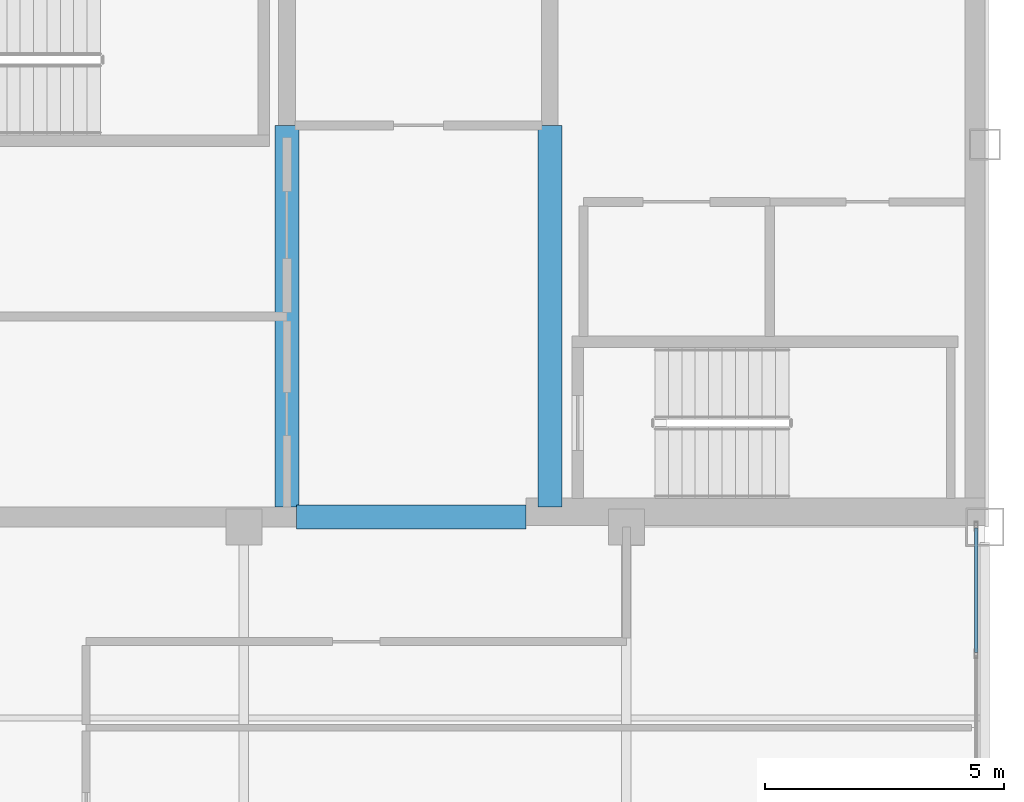
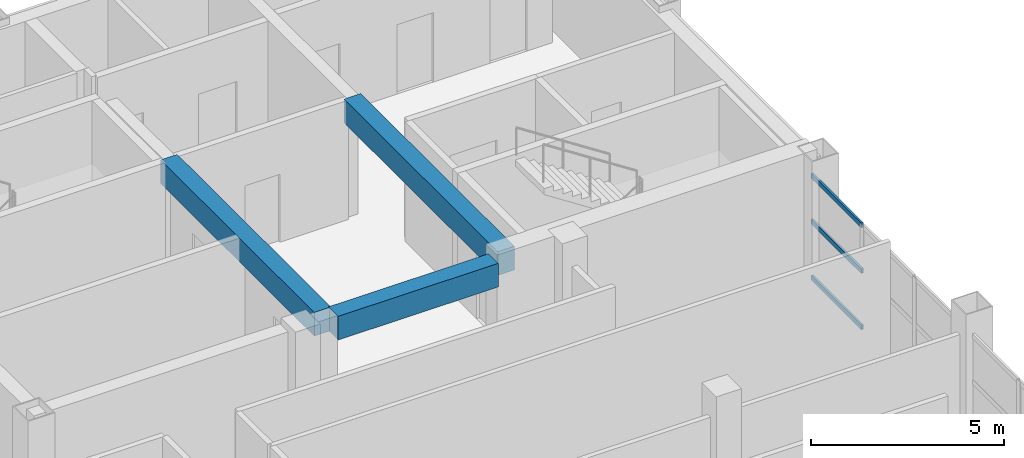
# One storey, part 5 of 13: 3 beams, 3 members, 1 element without a shape of its own.
"""IFC4 building model written with IfcOpenShell, lengths in metres."""

from ifc_helpers import new_model, si_unit, direction, frame, origin, origin_2d, place, context, subcontext, project, spatial, rectangle, hollow_rectangle, extrude, material, layer, layer_set, material_profile, profile_set, type_object, element, aggregate, save


model = new_model("IFC4")

# Units and contexts
model_context = context("Model", 3, precision=1e-05, world=origin(), true_north=direction((0.0, 1.0)))
body_context = subcontext(model_context, "Body", "Model", "MODEL_VIEW")
ifc_project = project(units=[si_unit("LENGTHUNIT", "METRE"), si_unit("AREAUNIT", "SQUARE_METRE"), si_unit("VOLUMEUNIT", "CUBIC_METRE"), si_unit("PLANEANGLEUNIT", "RADIAN"), si_unit("MASSUNIT", "GRAM", prefix="KILO")], contexts=[model_context])

# Site, building, storey
site_placement = place(None, origin())
site = spatial("IfcSite", under=ifc_project, at=site_placement, CompositionType="ELEMENT")
building_placement = place(site_placement, origin())
building = spatial("IfcBuilding", under=site, at=building_placement, Name="Qianrong Seaharbour Tower", CompositionType="ELEMENT")
storey_placement = place(building_placement, frame((0.0, 0.0, 299.199951171875)))
storey = spatial("IfcBuildingStorey", under=building, at=storey_placement, Name="L72", CompositionType="ELEMENT", Elevation=299.199951171875)

# Beams
ifc_material_1 = material(Name="Concrete C60/75", Category="concrete")
ifc_material_profile_1 = material_profile(ifc_material_1, rectangle(XDim=0.5, YDim=0.75, at=origin_2d()), Name="RC500x750")
ifc_profile_set_1 = profile_set([ifc_material_profile_1], Name="Concrete C60/75")
beam_type = type_object("IfcBeamType", Name="BM-LINTEL-750", PredefinedType="LINTEL", material=ifc_profile_set_1)
beam_placement = place(storey_placement, frame((49.60009765625, 36.2099609375, 3.41015625), z_axis=(1.0, 0.0, 0.0), x_axis=(0.0, 1.0, 0.0)))
element("IfcBeam", 1, at=beam_placement, inside=storey, type_object=beam_type, Name="L72 Core Coupling Lintel Beam CBC", PredefinedType="LINTEL", context=body_context, shape_type="SweptSolid", body=[
    extrude(rectangle(XDim=0.5, YDim=0.75, at=origin_2d()), origin(), (0.0, 0.0, 1.0), 4.7998046875),
])
for number, where, z_axis, x_axis, name in (
    (2, (49.39990234375, 36.419921875, 3.41015625), (0.0, 1.0, 0.0), (-1.0, 0.0, 0.0), "L72 Internal Core Coupling Beam IW1"),
    (3, (54.89990234375, 36.419921875, 3.41015625), (0.0, 1.0, 0.0), (-1.0, 0.0, 0.0), "L72 Internal Core Coupling Beam IW2"),
):
    element("IfcBeam", number, at=place(storey_placement, frame(where, z_axis=z_axis, x_axis=x_axis)), inside=storey, type_object=beam_type, Name=name, PredefinedType="LINTEL", context=body_context, shape_type="SweptSolid", body=[
        extrude(rectangle(XDim=0.5, YDim=0.75, at=origin_2d()), origin(), (0.0, 0.0, 1.0), 7.97998046875),
    ])

# Curtain wall, members
ifc_material_2 = material(Name="Anodised aluminium 6063-T6 and laminated low-e glass", Category="aluminium")
ifc_layer = layer(ifc_material_2, 0.195068359375)
ifc_layer_set = layer_set([ifc_layer], Name="Anodised aluminium 6063-T6 and laminated low-e glass")
curtain_wall_type = type_object("IfcCurtainWallType", Name="CW-SYS-3", PredefinedType="NOTDEFINED", material=ifc_layer_set)
curtain_wall_placement = place(storey_placement, origin())
curtain_wall = element("IfcCurtainWall", 4, at=curtain_wall_placement, inside=storey, type_object=curtain_wall_type, Name="L72 Sky-Garden Wintergarden Curtain Wall EAST_WING", PredefinedType="NOTDEFINED")
ifc_material_3 = material(Name="Extruded aluminium 6063-T6", Category="aluminium")
ifc_material_profile_2 = material_profile(ifc_material_3, hollow_rectangle(XDim=0.06494140625, YDim=0.14990234375, WallThickness=0.00390625, at=origin_2d()), Name="ALU-TRN-150x65x4")
ifc_profile_set_2 = profile_set([ifc_material_profile_2], Name="Extruded aluminium 6063-T6")
member_type = type_object("IfcMemberType", Name="CW-TRN-150", PredefinedType="USERDEFINED", material=ifc_profile_set_2)
member_1_placement = place(storey_placement, frame((63.820068359375, 35.97998046875, 0.032470703125), z_axis=(0.0, -1.0, 0.0), x_axis=(1.0, 0.0, 0.0)))
member_1 = element("IfcMember", 5, at=member_1_placement, type_object=member_type, Name="CW-3 transom 1.1", ObjectType="TRANSOM", PredefinedType="USERDEFINED", context=body_context, shape_type="SweptSolid", body=[
    extrude(hollow_rectangle(XDim=0.06494140625, YDim=0.14990234375, WallThickness=0.00390625, at=origin_2d()), origin(), (0.0, 0.0, 1.0), 2.60498046875),
])
member_2_placement = place(storey_placement, frame((63.820068359375, 35.97998046875, 1.812255859375), z_axis=(0.0, -1.0, 0.0), x_axis=(1.0, 0.0, 0.0)))
member_2 = element("IfcMember", 6, at=member_2_placement, type_object=member_type, Name="CW-3 transom 1.2", ObjectType="TRANSOM", PredefinedType="USERDEFINED", context=body_context, shape_type="SweptSolid", body=[
    extrude(hollow_rectangle(XDim=0.06494140625, YDim=0.14990234375, WallThickness=0.00390625, at=origin_2d()), origin(), (0.0, 0.0, 1.0), 2.60498046875),
])
member_3_placement = place(storey_placement, frame((63.820068359375, 35.97998046875, 3.262451171875), z_axis=(0.0, -1.0, 0.0), x_axis=(1.0, 0.0, 0.0)))
member_3 = element("IfcMember", 7, at=member_3_placement, type_object=member_type, Name="CW-3 transom 1.3", ObjectType="TRANSOM", PredefinedType="USERDEFINED", context=body_context, shape_type="SweptSolid", body=[
    extrude(hollow_rectangle(XDim=0.06494140625, YDim=0.14990234375, WallThickness=0.00390625, at=origin_2d()), origin(), (0.0, 0.0, 1.0), 2.60498046875),
])
aggregate(curtain_wall, [member_1, member_2, member_3])

save(model, "model.ifc")
